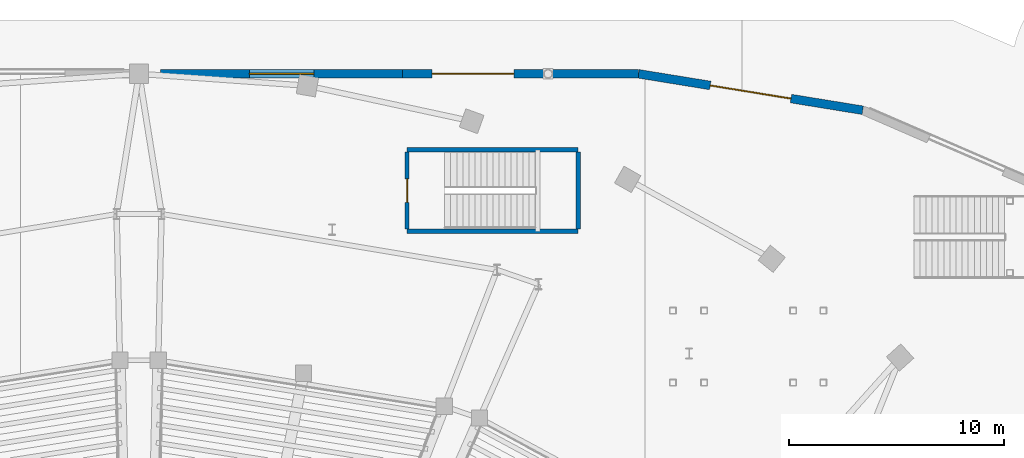
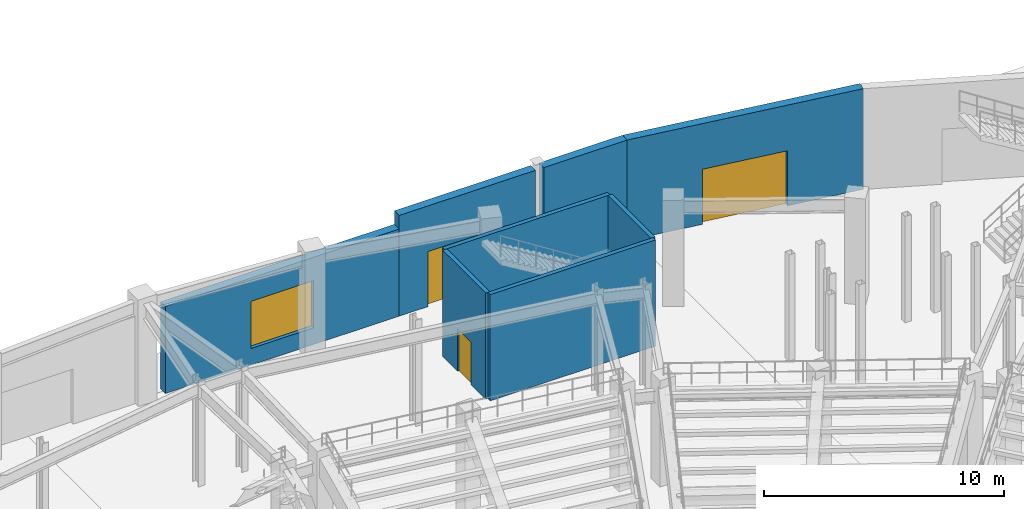
# One storey, part 53 of 79: 8 walls, 3 doors, 1 window, 4 openings.
"""IFC4 building model written with IfcOpenShell, lengths in metres."""

from ifc_helpers import new_model, si_unit, direction, frame, frame_2d, origin, place, context, subcontext, project, spatial, rectangle, extrude, material, layer, layer_set, type_object, element, fill, save


model = new_model("IFC4")

# Units and contexts
model_context = context("Model", 3, precision=1e-05, world=origin(), true_north=direction((0.0, 1.0)))
body_context = subcontext(model_context, "Body", "Model", "MODEL_VIEW")
ifc_project = project(units=[si_unit("LENGTHUNIT", "METRE"), si_unit("AREAUNIT", "SQUARE_METRE"), si_unit("VOLUMEUNIT", "CUBIC_METRE"), si_unit("PLANEANGLEUNIT", "RADIAN"), si_unit("MASSUNIT", "GRAM", prefix="KILO")], contexts=[model_context])

# Site, building, storey
site_placement = place(None, origin())
site = spatial("IfcSite", under=ifc_project, at=site_placement, CompositionType="ELEMENT")
building_placement = place(site_placement, origin())
building = spatial("IfcBuilding", under=site, at=building_placement, Name="Glasvene Arena", CompositionType="ELEMENT")
storey_placement = place(building_placement, origin())
storey = spatial("IfcBuildingStorey", under=building, at=storey_placement, Name="L00", CompositionType="ELEMENT", Elevation=0.0)

# Wall, opening, window
ifc_material_1 = material(Name="Coursed pale Irish limestone", Category="masonry")
ifc_layer_1 = layer(ifc_material_1, 0.39990234375)
ifc_layer_set_1 = layer_set([ifc_layer_1], Name="Coursed pale Irish limestone")
wall_type_1 = type_object("IfcWallType", Name="WL-EXT-LIM-400", PredefinedType="STANDARD", material=ifc_layer_set_1)
wall_1_placement = place(storey_placement, frame((93.0, 118.0, 0.0), z_axis=(0.0, 0.0, 1.0), x_axis=(1.0, 0.0, 0.0)))
wall_1 = element("IfcWall", 1, at=wall_1_placement, inside=storey, type_object=wall_type_1, Name="External facade wall EW-L00-0019", PredefinedType="STANDARD", context=body_context, shape_type="SweptSolid", body=[
    extrude(rectangle(XDim=11.23974609375, YDim=0.39990234375, at=frame_2d((5.619873046875, 0.0))), origin(), (0.0, 0.0, 1.0), 4.431396484375),
])
opening_1_placement = place(wall_1_placement, frame((4.1201171875, 0.0, 0.85009765625)))
opening_1 = element("IfcOpeningElement", 2, at=opening_1_placement, cuts=wall_1, Name="Opening W-02", PredefinedType="OPENING", context=body_context, shape_type="SweptSolid", body=[
    extrude(rectangle(XDim=3.0, YDim=2.39990234375, at=frame_2d((1.5, 1.199951171875))), frame((0.0, 0.2099609375, 0.0), z_axis=(0.0, -1.0, 0.0), x_axis=(1.0, 0.0, 0.0)), (0.0, 0.0, 1.0), 0.419921875),
])
ifc_material_2 = material(Name="Low-emissivity laminated double glazing", Category="glass")
window_type = type_object("IfcWindowType", Name="WN-FOY-300x240", PartitioningType="DOUBLE_PANEL_VERTICAL", PredefinedType="WINDOW", material=ifc_material_2)
window_placement = place(opening_1_placement, origin())
window = element("IfcWindow", 3, at=window_placement, inside=storey, type_object=window_type, Name="Facade window WN-FOY-300x240 L00-0006", OverallHeight=2.39990234375, OverallWidth=3.0, PartitioningType="SINGLE_PANEL", PredefinedType="WINDOW", context=body_context, shape_type="SweptSolid", body=[
    extrude(rectangle(XDim=3.0, YDim=2.39990234375, at=frame_2d((1.5, 1.199951171875))), frame((0.0, 0.030029296875, 0.0), z_axis=(0.0, -1.0, 0.0), x_axis=(1.0, 0.0, 0.0)), (0.0, 0.0, 1.0), 0.06005859375),
])
fill(opening_1, window)

# Wall, opening, door
wall_2_placement = place(storey_placement, frame((104.23974609375, 118.0, 0.0), z_axis=(0.0, 0.0, 1.0), x_axis=(1.0, 0.0, 0.0)))
wall_2 = element("IfcWall", 4, at=wall_2_placement, inside=storey, type_object=wall_type_1, Name="External facade wall EW-L00-0020", PredefinedType="STANDARD", context=body_context, shape_type="SweptSolid", body=[
    extrude(rectangle(XDim=6.55517578125, YDim=0.39990234375, at=frame_2d((3.277587890625, 0.0))), origin(), (0.0, 0.0, 1.0), 5.1201171875),
])
opening_2_placement = place(wall_2_placement, frame((1.376953125, 0.0, 0.0)))
opening_2 = element("IfcOpeningElement", 5, at=opening_2_placement, cuts=wall_2, Name="Opening E-MAIN", PredefinedType="OPENING", context=body_context, shape_type="SweptSolid", body=[
    extrude(rectangle(XDim=3.800048828125, YDim=2.800048828125, at=frame_2d((1.89990234375, 1.39990234375))), frame((0.0, 0.2099609375, 0.0), z_axis=(0.0, -1.0, 0.0), x_axis=(1.0, 0.0, 0.0)), (0.0, 0.0, 1.0), 0.419921875),
])
ifc_material_3 = material(Name="Anodised architectural aluminium", Category="aluminium")
door_type_1 = type_object("IfcDoorType", Name="DR-ENT-3800", OperationType="DOUBLE_DOOR_SINGLE_SWING", PredefinedType="DOOR", material=ifc_material_3)
door_1_placement = place(opening_2_placement, origin())
door_1 = element("IfcDoor", 6, at=door_1_placement, inside=storey, type_object=door_type_1, Name="Main entrance E10", OperationType="DOUBLE_DOOR_SINGLE_SWING", OverallHeight=2.800048828125, OverallWidth=3.800048828125, PredefinedType="DOOR", context=body_context, shape_type="SweptSolid", body=[
    extrude(rectangle(XDim=3.800048828125, YDim=2.800048828125, at=frame_2d((1.89990234375, 1.39990234375))), frame((0.0, 0.02490234375, 0.0), z_axis=(0.0, -1.0, 0.0), x_axis=(1.0, 0.0, 0.0)), (0.0, 0.0, 1.0), 0.050048828125),
])
fill(opening_2, door_1)

# Wall
wall_3_placement = place(storey_placement, frame((111.205078125, 118.0, 0.0), z_axis=(0.0, 0.0, 1.0), x_axis=(1.0, 0.0, 0.0)))
element("IfcWall", 7, at=wall_3_placement, inside=storey, type_object=wall_type_1, Name="External facade wall EW-L00-0021", PredefinedType="STANDARD", context=body_context, shape_type="SweptSolid", body=[
    extrude(rectangle(XDim=3.997802734375, YDim=0.39990234375, at=frame_2d((1.9990234375, 0.0))), origin(), (0.0, 0.0, 1.0), 5.1201171875),
])

# Wall, opening, door
wall_4_placement = place(storey_placement, frame((115.202880859375, 118.0, 0.0), z_axis=(0.0, 0.0, 1.0), x_axis=(0.987056625979, -0.160372120738, 0.0)))
wall_4 = element("IfcWall", 8, at=wall_4_placement, inside=storey, type_object=wall_type_1, Name="External facade wall EW-L00-0022", PredefinedType="STANDARD", context=body_context, shape_type="SweptSolid", body=[
    extrude(rectangle(XDim=10.552734375, YDim=0.39990234375, at=frame_2d((5.2763671875, 0.0))), origin(), (0.0, 0.0, 1.0), 5.1201171875),
])
opening_3_placement = place(wall_4_placement, frame((3.3759765625, 0.0, 0.0)))
opening_3 = element("IfcOpeningElement", 9, at=opening_3_placement, cuts=wall_4, Name="Opening E-MAIN", PredefinedType="OPENING", context=body_context, shape_type="SweptSolid", body=[
    extrude(rectangle(XDim=3.800048828125, YDim=2.800048828125, at=frame_2d((1.89990234375, 1.39990234375))), frame((0.0, 0.2099609375, 0.0), z_axis=(0.0, -1.0, 0.0), x_axis=(1.0, 0.0, 0.0)), (0.0, 0.0, 1.0), 0.419921875),
])
door_2_placement = place(opening_3_placement, origin())
door_2 = element("IfcDoor", 10, at=door_2_placement, inside=storey, type_object=door_type_1, Name="Main entrance E11", OperationType="DOUBLE_DOOR_SINGLE_SWING", OverallHeight=2.800048828125, OverallWidth=3.800048828125, PredefinedType="DOOR", context=body_context, shape_type="SweptSolid", body=[
    extrude(rectangle(XDim=3.800048828125, YDim=2.800048828125, at=frame_2d((1.89990234375, 1.39990234375))), frame((0.0, 0.02490234375, 0.0), z_axis=(0.0, -1.0, 0.0), x_axis=(1.0, 0.0, 0.0)), (0.0, 0.0, 1.0), 0.050048828125),
])
fill(opening_3, door_2)

# Wall
ifc_material_4 = material(Name="Concrete C40/50", Category="concrete")
ifc_layer_2 = layer(ifc_material_4, 0.199951171875)
ifc_layer_set_2 = layer_set([ifc_layer_2], Name="Concrete C40/50")
wall_type_2 = type_object("IfcWallType", Name="WL-SHAFT-200", PredefinedType="SHEAR", material=ifc_layer_set_2)
wall_5_placement = place(storey_placement, frame((104.449951171875, 110.679931640625, 0.0), z_axis=(0.0, 0.0, 1.0), x_axis=(1.0, 0.0, 0.0)))
element("IfcWall", 11, at=wall_5_placement, inside=storey, type_object=wall_type_2, Name="Escape stair shaft wall ST-11 L00 S", PredefinedType="SHEAR", context=body_context, shape_type="SweptSolid", body=[
    extrude(rectangle(XDim=7.949951171875, YDim=0.199951171875, at=frame_2d((3.97509765625, 0.0))), origin(), (0.0, 0.0, 1.0), 5.39990234375),
])

# Wall, opening, door
wall_6_placement = place(storey_placement, frame((104.449951171875, 110.781982421875, 0.0), z_axis=(0.0, 0.0, 1.0), x_axis=(0.0, 1.0, 0.0)))
wall_6 = element("IfcWall", 12, at=wall_6_placement, inside=storey, type_object=wall_type_2, Name="Escape stair shaft wall ST-11 L00 W", PredefinedType="SHEAR", context=body_context, shape_type="SweptSolid", body=[
    extrude(rectangle(XDim=3.5859375, YDim=0.199951171875, at=frame_2d((1.79296875, 0.0))), origin(), (0.0, 0.0, 1.0), 5.39990234375),
])
opening_4_placement = place(wall_6_placement, frame((1.242919921875, 0.0, 0.0)))
opening_4 = element("IfcOpeningElement", 13, at=opening_4_placement, cuts=wall_6, Name="Opening D-04", PredefinedType="OPENING", context=body_context, shape_type="SweptSolid", body=[
    extrude(rectangle(XDim=1.10009765625, YDim=2.14990234375, at=frame_2d((0.550048828125, 1.074951171875))), frame((0.0, 0.10986328125, 0.0), z_axis=(0.0, -1.0, 0.0), x_axis=(1.0, 0.0, 0.0)), (0.0, 0.0, 1.0), 0.219970703125),
])
ifc_material_5 = material(Name="Painted fire-resisting steel", Category="steel")
door_type_2 = type_object("IfcDoorType", Name="DR-FD60-1100", OperationType="NOTDEFINED", PredefinedType="DOOR", material=ifc_material_5)
door_3_placement = place(opening_4_placement, frame((1.10009765625, 0.0, 0.0), z_axis=(0.0, 0.0, 1.0), x_axis=(-1.0, 0.0, 0.0)))
door_3 = element("IfcDoor", 14, at=door_3_placement, inside=storey, type_object=door_type_2, Name="Protected escape stair door ST-11 L00", OperationType="SINGLE_SWING_LEFT", OverallHeight=2.14990234375, OverallWidth=1.10009765625, PredefinedType="DOOR", context=body_context, shape_type="SweptSolid", body=[
    extrude(rectangle(XDim=1.10009765625, YDim=2.14990234375, at=frame_2d((0.550048828125, 1.074951171875))), frame((0.0, 0.02490234375, 0.0), z_axis=(0.0, -1.0, 0.0), x_axis=(1.0, 0.0, 0.0)), (0.0, 0.0, 1.0), 0.050048828125),
])
fill(opening_4, door_3)

# Walls
wall_7_placement = place(storey_placement, frame((112.39990234375, 110.781982421875, 0.0), z_axis=(0.0, 0.0, 1.0), x_axis=(0.0, 1.0, 0.0)))
element("IfcWall", 15, at=wall_7_placement, inside=storey, type_object=wall_type_2, Name="Escape stair shaft wall ST-11 L00 E", PredefinedType="SHEAR", context=body_context, shape_type="SweptSolid", body=[
    extrude(rectangle(XDim=3.5859375, YDim=0.199951171875, at=frame_2d((1.79296875, 0.0))), origin(), (0.0, 0.0, 1.0), 5.39990234375),
])
wall_8_placement = place(storey_placement, frame((104.449951171875, 114.469970703125, 0.0), z_axis=(0.0, 0.0, 1.0), x_axis=(1.0, 0.0, 0.0)))
element("IfcWall", 16, at=wall_8_placement, inside=storey, type_object=wall_type_2, Name="Escape stair shaft wall ST-11 L00 N", PredefinedType="SHEAR", context=body_context, shape_type="SweptSolid", body=[
    extrude(rectangle(XDim=7.949951171875, YDim=0.199951171875, at=frame_2d((3.97509765625, 0.0))), origin(), (0.0, 0.0, 1.0), 5.39990234375),
])

save(model, "model.ifc")
